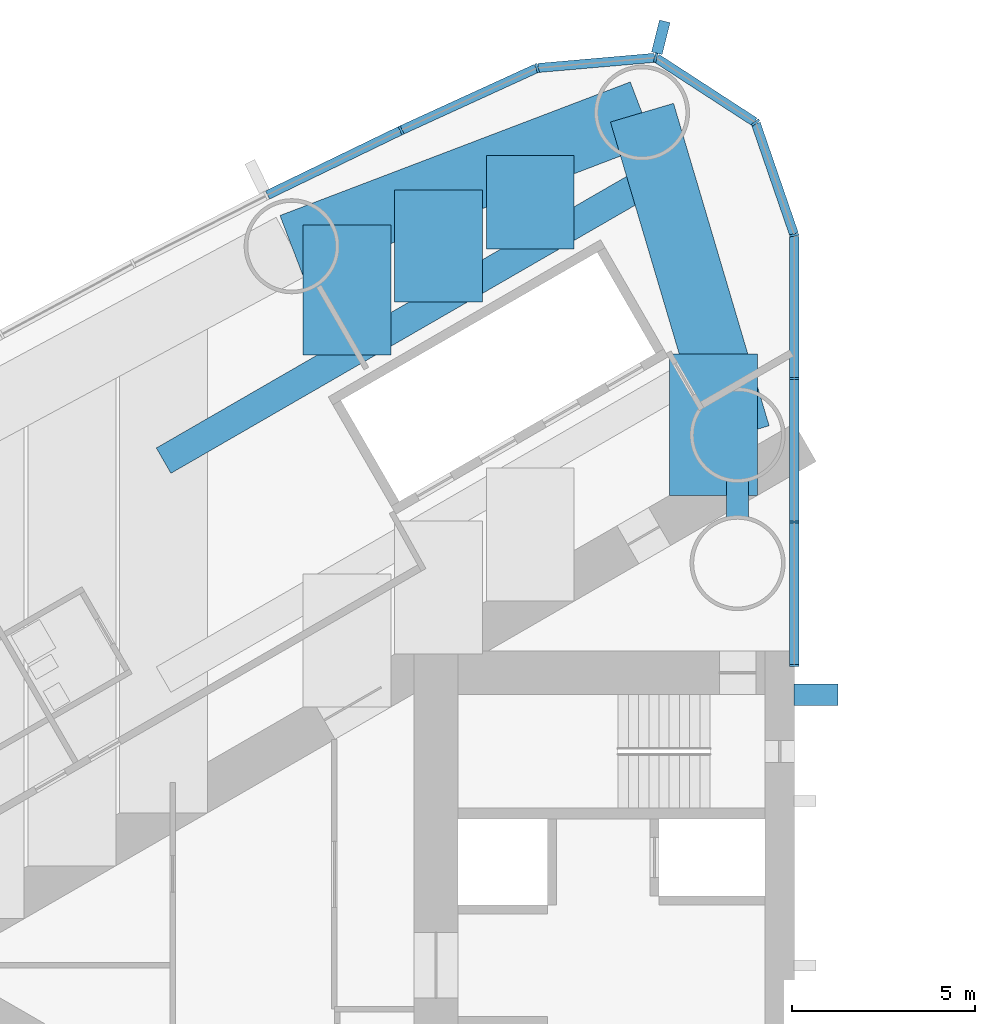
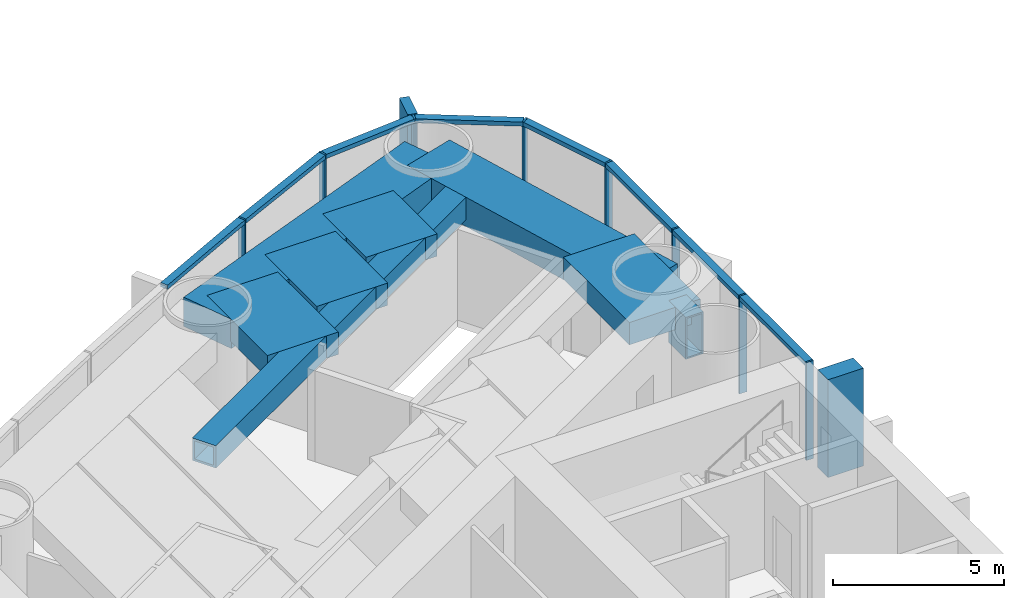
# One storey, part 5 of 18: 18 members, 8 beams, 1 element without a shape of its own.
"""IFC4 building model written with IfcOpenShell, lengths in metres."""

from ifc_helpers import new_model, si_unit, direction, frame, origin, origin_2d, place, context, subcontext, project, spatial, rectangle, hollow_rectangle, extrude, material, material_profile, profile_set, type_object, element, aggregate, save


model = new_model("IFC4")

# Units and contexts
model_context = context("Model", 3, precision=1e-05, world=origin(), true_north=direction((0.0, 1.0)))
body_context = subcontext(model_context, "Body", "Model", "MODEL_VIEW")
ifc_project = project(units=[si_unit("LENGTHUNIT", "METRE"), si_unit("AREAUNIT", "SQUARE_METRE"), si_unit("VOLUMEUNIT", "CUBIC_METRE"), si_unit("PLANEANGLEUNIT", "RADIAN"), si_unit("MASSUNIT", "GRAM", prefix="KILO")], contexts=[model_context])

# Site, building, storey
site_placement = place(None, origin())
site = spatial("IfcSite", under=ifc_project, at=site_placement, CompositionType="ELEMENT")
building_placement = place(site_placement, origin())
building = spatial("IfcBuilding", under=site, at=building_placement, Name="Lancet Gate Hotel", CompositionType="ELEMENT")
storey_placement = place(building_placement, frame((0.0, 0.0, 115.10009765625)))
storey = spatial("IfcBuildingStorey", under=building, at=storey_placement, Name="L30", CompositionType="ELEMENT", Elevation=115.10009765625)

# Curtain wall, members
ifc_material_1 = material(Name="Aluminium curtain wall", Category="aluminium")
curtain_wall_type = type_object("IfcCurtainWallType", Name="Tower unitised curtain wall", PredefinedType="USERDEFINED", material=ifc_material_1)
curtain_wall_placement = place(storey_placement, origin())
curtain_wall = element("IfcCurtainWall", 1, at=curtain_wall_placement, inside=storey, type_object=curtain_wall_type, Name="T1 L30 curtain wall 1", ObjectType="UNITISED CURTAIN WALL", PredefinedType="USERDEFINED")
ifc_material_2 = material(Name="Aluminium mullion", Category="aluminium")
ifc_material_profile_1 = material_profile(ifc_material_2, rectangle(XDim=0.06494140625, YDim=0.25, at=origin_2d()), Name="MULLION 65x250")
ifc_profile_set_1 = profile_set([ifc_material_profile_1], Name="Aluminium mullion")
member_type_1 = type_object("IfcMemberType", Name="Aluminium mullion 65x250", PredefinedType="MULLION", material=ifc_profile_set_1)
member_1_placement = place(storey_placement, frame((-27.5, 8.199951171875, 0.0), z_axis=(0.0, 0.0, 1.0), x_axis=(0.0, 1.0, 0.0)))
member_1 = element("IfcMember", 2, at=member_1_placement, type_object=member_type_1, Name="T1 L30 curtain wall 1 mullion 1", PredefinedType="MULLION", context=body_context, shape_type="SweptSolid", body=[
    extrude(rectangle(XDim=0.06494140625, YDim=0.25, at=origin_2d()), origin(), (0.0, 0.0, 1.0), 3.5),
])
member_2_placement = place(storey_placement, frame((-27.5, 12.123779296875, 0.0), z_axis=(0.0, 0.0, 1.0), x_axis=(0.0, 1.0, 0.0)))
member_2 = element("IfcMember", 3, at=member_2_placement, type_object=member_type_1, Name="T1 L30 curtain wall 1 mullion 2", PredefinedType="MULLION", context=body_context, shape_type="SweptSolid", body=[
    extrude(rectangle(XDim=0.06494140625, YDim=0.25, at=origin_2d()), origin(), (0.0, 0.0, 1.0), 3.5),
])
member_3_placement = place(storey_placement, frame((-27.5, 16.04736328125, 0.0), z_axis=(0.0, 0.0, 1.0), x_axis=(0.0, 1.0, 0.0)))
member_3 = element("IfcMember", 4, at=member_3_placement, type_object=member_type_1, Name="T1 L30 curtain wall 1 mullion 3", PredefinedType="MULLION", context=body_context, shape_type="SweptSolid", body=[
    extrude(rectangle(XDim=0.06494140625, YDim=0.25, at=origin_2d()), origin(), (0.0, 0.0, 1.0), 3.5),
])
member_4_placement = place(storey_placement, frame((-27.5, 19.97119140625, 0.0), z_axis=(0.0, 0.0, 1.0), x_axis=(-0.149634446211, 0.988741388082, 0.0)))
member_4 = element("IfcMember", 5, at=member_4_placement, type_object=member_type_1, Name="T1 L30 curtain wall 1 mullion 4", PredefinedType="MULLION", context=body_context, shape_type="SweptSolid", body=[
    extrude(rectangle(XDim=0.06494140625, YDim=0.25, at=origin_2d()), origin(), (0.0, 0.0, 1.0), 3.5),
])
member_5_placement = place(storey_placement, frame((-28.5595703125, 23.049072265625, 0.0), z_axis=(0.0, 0.0, 1.0), x_axis=(-0.615574240878, 0.788078900851, 0.0)))
member_5 = element("IfcMember", 6, at=member_5_placement, type_object=member_type_1, Name="T1 L30 curtain wall 1 mullion 5", PredefinedType="MULLION", context=body_context, shape_type="SweptSolid", body=[
    extrude(rectangle(XDim=0.06494140625, YDim=0.25, at=origin_2d()), origin(), (0.0, 0.0, 1.0), 3.5),
])
member_6_placement = place(storey_placement, frame((-31.289306640625, 24.822265625, 0.0), z_axis=(0.0, 0.0, 1.0), x_axis=(-0.970242142288, 0.242136707934, 0.0)))
member_6 = element("IfcMember", 7, at=member_6_placement, type_object=member_type_1, Name="T1 L30 curtain wall 1 mullion 6", PredefinedType="MULLION", context=body_context, shape_type="SweptSolid", body=[
    extrude(rectangle(XDim=0.06494140625, YDim=0.25, at=origin_2d()), origin(), (0.0, 0.0, 1.0), 3.5),
])
member_7_placement = place(storey_placement, frame((-34.5322265625, 24.53955078125, 0.0), z_axis=(0.0, 0.0, 1.0), x_axis=(-0.961653318232, -0.27426792655, 0.0)))
member_7 = element("IfcMember", 8, at=member_7_placement, type_object=member_type_1, Name="T1 L30 curtain wall 1 mullion 7", PredefinedType="MULLION", context=body_context, shape_type="SweptSolid", body=[
    extrude(rectangle(XDim=0.06494140625, YDim=0.25, at=origin_2d()), origin(), (0.0, 0.0, 1.0), 3.5),
])
member_8_placement = place(storey_placement, frame((-38.25244140625, 22.83642578125, 0.0), z_axis=(0.0, 0.0, 1.0), x_axis=(-0.904719609771, -0.426007544178, 0.0)))
member_8 = element("IfcMember", 9, at=member_8_placement, type_object=member_type_1, Name="T1 L30 curtain wall 1 mullion 8", PredefinedType="MULLION", context=body_context, shape_type="SweptSolid", body=[
    extrude(rectangle(XDim=0.06494140625, YDim=0.25, at=origin_2d()), origin(), (0.0, 0.0, 1.0), 3.5),
])
ifc_material_3 = material(Name="Aluminium transom", Category="aluminium")
ifc_material_profile_2 = material_profile(ifc_material_3, rectangle(XDim=0.25, YDim=0.14990234375, at=origin_2d()), Name="TRANSOM 250x150")
ifc_profile_set_2 = profile_set([ifc_material_profile_2], Name="Aluminium transom")
member_type_2 = type_object("IfcMemberType", Name="Aluminium transom 250x150", PredefinedType="USERDEFINED", material=ifc_profile_set_2)
member_9_placement = place(storey_placement, frame((-27.5, 8.232421875, 3.4248046875), z_axis=(0.0, 1.0, 0.0), x_axis=(-1.0, 0.0, 0.0)))
member_9 = element("IfcMember", 10, at=member_9_placement, type_object=member_type_2, Name="T1 L30 curtain wall 1 transom 1", ObjectType="TRANSOM", PredefinedType="USERDEFINED", context=body_context, shape_type="SweptSolid", body=[
    extrude(rectangle(XDim=0.25, YDim=0.14990234375, at=origin_2d()), origin(), (0.0, 0.0, 1.0), 3.85888671875),
])
member_10_placement = place(storey_placement, frame((-27.5, 12.15625, 3.4248046875), z_axis=(0.0, 1.0, 0.0), x_axis=(-1.0, 0.0, 0.0)))
member_10 = element("IfcMember", 11, at=member_10_placement, type_object=member_type_2, Name="T1 L30 curtain wall 1 transom 2", ObjectType="TRANSOM", PredefinedType="USERDEFINED", context=body_context, shape_type="SweptSolid", body=[
    extrude(rectangle(XDim=0.25, YDim=0.14990234375, at=origin_2d()), origin(), (0.0, 0.0, 1.0), 3.858642578125),
])
member_11_placement = place(storey_placement, frame((-27.5, 16.079833984375, 3.4248046875), z_axis=(0.0, 1.0, 0.0), x_axis=(-1.0, 0.0, 0.0)))
member_11 = element("IfcMember", 12, at=member_11_placement, type_object=member_type_2, Name="T1 L30 curtain wall 1 transom 3", ObjectType="TRANSOM", PredefinedType="USERDEFINED", context=body_context, shape_type="SweptSolid", body=[
    extrude(rectangle(XDim=0.25, YDim=0.14990234375, at=origin_2d()), origin(), (0.0, 0.0, 1.0), 3.858642578125),
])
member_12_placement = place(storey_placement, frame((-27.510498046875, 20.001708984375, 3.4248046875), z_axis=(-0.32553312754, 0.945530635609, 0.0), x_axis=(-0.945530635609, -0.32553312754, 0.0)))
member_12 = element("IfcMember", 13, at=member_12_placement, type_object=member_type_2, Name="T1 L30 curtain wall 1 transom 4", ObjectType="TRANSOM", PredefinedType="USERDEFINED", context=body_context, shape_type="SweptSolid", body=[
    extrude(rectangle(XDim=0.25, YDim=0.14990234375, at=origin_2d()), origin(), (0.0, 0.0, 1.0), 3.1904296875),
])
member_13_placement = place(storey_placement, frame((-28.5869140625, 23.066650390625, 3.4248046875), z_axis=(-0.838550259452, 0.544824249068, 0.0), x_axis=(-0.544824249068, -0.838550259452, 0.0)))
member_13 = element("IfcMember", 14, at=member_13_placement, type_object=member_type_2, Name="T1 L30 curtain wall 1 transom 5", ObjectType="TRANSOM", PredefinedType="USERDEFINED", context=body_context, shape_type="SweptSolid", body=[
    extrude(rectangle(XDim=0.25, YDim=0.14990234375, at=origin_2d()), origin(), (0.0, 0.0, 1.0), 3.190185546875),
])
member_14_placement = place(storey_placement, frame((-31.32177734375, 24.819580078125, 3.4248046875), z_axis=(-0.996213545522, -0.086940046686, 0.0), x_axis=(0.086940046686, -0.996213545522, 0.0)))
member_14 = element("IfcMember", 15, at=member_14_placement, type_object=member_type_2, Name="T1 L30 curtain wall 1 transom 6", ObjectType="TRANSOM", PredefinedType="USERDEFINED", context=body_context, shape_type="SweptSolid", body=[
    extrude(rectangle(XDim=0.25, YDim=0.14990234375, at=origin_2d()), origin(), (0.0, 0.0, 1.0), 3.18994140625),
])
member_15_placement = place(storey_placement, frame((-34.561767578125, 24.52587890625, 3.4248046875), z_axis=(-0.909252284196, -0.416245460857, 0.0), x_axis=(0.416245460857, -0.909252284196, 0.0)))
member_15 = element("IfcMember", 16, at=member_15_placement, type_object=member_type_2, Name="T1 L30 curtain wall 1 transom 7", ObjectType="TRANSOM", PredefinedType="USERDEFINED", context=body_context, shape_type="SweptSolid", body=[
    extrude(rectangle(XDim=0.25, YDim=0.14990234375, at=origin_2d()), origin(), (0.0, 0.0, 1.0), 4.026611328125),
])
member_16_placement = place(storey_placement, frame((-38.28173828125, 22.822265625, 3.4248046875), z_axis=(-0.900065677074, -0.435754262117, 0.0), x_axis=(0.435754262117, -0.900065677074, 0.0)))
member_16 = element("IfcMember", 17, at=member_16_placement, type_object=member_type_2, Name="T1 L30 curtain wall 1 transom 8", ObjectType="TRANSOM", PredefinedType="USERDEFINED", context=body_context, shape_type="SweptSolid", body=[
    extrude(rectangle(XDim=0.25, YDim=0.14990234375, at=origin_2d()), origin(), (0.0, 0.0, 1.0), 4.026611328125),
])

# Beams
ifc_material_4 = material(Name="Concrete C50/60", Category="concrete")
ifc_material_profile_3 = material_profile(ifc_material_4, rectangle(XDim=1.800048828125, YDim=1.050048828125, at=origin_2d()), Name="RC 1800x1050")
ifc_profile_set_3 = profile_set([ifc_material_profile_3], Name="Concrete C50/60")
beam_type_1 = type_object("IfcBeamType", Name="Edge beam RC 1800x1050", PredefinedType="SPANDREL", material=ifc_profile_set_3)
beam_1_placement = place(storey_placement, frame((-31.66455078125, 23.318359375, 2.724853515625), z_axis=(-0.934392266213, -0.356245832033, 0.0), x_axis=(0.356245832033, -0.934392266213, 0.0)))
element("IfcBeam", 18, at=beam_1_placement, inside=storey, type_object=beam_type_1, Name="T1 edge beam EB1 L30", PredefinedType="SPANDREL", context=body_context, shape_type="SweptSolid", body=[
    extrude(rectangle(XDim=1.800048828125, YDim=1.050048828125, at=origin_2d()), origin(), (0.0, 0.0, 1.0), 10.2529296875),
])
beam_2_placement = place(storey_placement, frame((-31.66455078125, 23.318359375, 2.724853515625), z_axis=(0.284253711522, -0.958749095168, 0.0), x_axis=(0.958749095168, 0.284253711522, 0.0)))
element("IfcBeam", 19, at=beam_2_placement, inside=storey, type_object=beam_type_1, Name="T1 edge beam EB1 L30", PredefinedType="SPANDREL", context=body_context, shape_type="SweptSolid", body=[
    extrude(rectangle(XDim=1.800048828125, YDim=1.050048828125, at=origin_2d()), origin(), (0.0, 0.0, 1.0), 9.19775390625),
])

# Member
ifc_material_5 = material(Name="Concrete C60/75", Category="concrete")
ifc_material_profile_4 = material_profile(ifc_material_5, rectangle(XDim=0.60009765625, YDim=1.199951171875, at=origin_2d()), Name="FIN 600x1200")
ifc_profile_set_4 = profile_set([ifc_material_profile_4], Name="Concrete C60/75")
member_type_3 = type_object("IfcMemberType", Name="Exposed concrete buttress pilaster 600x1200", PredefinedType="USERDEFINED", material=ifc_profile_set_4)
member_17_placement = place(storey_placement, frame((-26.909912109375, 7.39990234375, 0.0), z_axis=(0.0, 0.0, 1.0), x_axis=(0.0, 1.0, 0.0)))
element("IfcMember", 20, at=member_17_placement, inside=storey, type_object=member_type_3, Name="T1 buttress pilaster S L30", ObjectType="FIN", PredefinedType="USERDEFINED", context=body_context, shape_type="SweptSolid", body=[
    extrude(rectangle(XDim=0.60009765625, YDim=1.199951171875, at=origin_2d()), origin(), (0.0, 0.0, 1.0), 3.5),
])

ifc_material_6 = material(Name="Precast concrete C50/60", Category="concrete")
ifc_material_profile_5 = material_profile(ifc_material_6, rectangle(XDim=0.300048828125, YDim=0.89990234375, at=origin_2d()), Name="FIN 300x900")
ifc_profile_set_5 = profile_set([ifc_material_profile_5], Name="Precast concrete C50/60")
member_type_4 = type_object("IfcMemberType", Name="Exposed concrete fin 300x900", PredefinedType="USERDEFINED", material=ifc_profile_set_5)
member_18_placement = place(storey_placement, frame((-31.150146484375, 25.380126953125, 0.0), z_axis=(0.0, 0.0, 1.0), x_axis=(-0.970242142288, 0.242136707934, 0.0)))
member_18 = element("IfcMember", 21, at=member_18_placement, type_object=member_type_4, Name="T1 L30 curtain wall 1 fin 6", ObjectType="FIN", PredefinedType="USERDEFINED", context=body_context, shape_type="SweptSolid", body=[
    extrude(rectangle(XDim=0.300048828125, YDim=0.89990234375, at=origin_2d()), origin(), (0.0, 0.0, 1.0), 3.5),
])

aggregate(curtain_wall, [member_1, member_2, member_3, member_4, member_5, member_6, member_18, member_7, member_8, member_9, member_10, member_11, member_12, member_13, member_14, member_15, member_16])

# Beams
ifc_material_7 = material(Name="Concrete C50/60", Category="concrete")
ifc_material_profile_6 = material_profile(ifc_material_7, rectangle(XDim=2.39990234375, YDim=0.800048828125, at=origin_2d()), Name="RC 2400x800")
ifc_profile_set_6 = profile_set([ifc_material_profile_6], Name="Concrete C50/60")
beam_type_2 = type_object("IfcBeamType", Name="Floor beam RC 2400x800", PredefinedType="BEAM", material=ifc_profile_set_6)
beam_3_placement = place(storey_placement, frame((-29.706787109375, 16.71533203125, 2.849853515625), z_axis=(0.0, -1.0, 0.0), x_axis=(1.0, 0.0, 0.0)))
element("IfcBeam", 22, at=beam_3_placement, inside=storey, type_object=beam_type_2, Name="T1 floor beam F02S L30", PredefinedType="BEAM", context=body_context, shape_type="SweptSolid", body=[
    extrude(rectangle(XDim=2.39990234375, YDim=0.800048828125, at=origin_2d()), origin(), (0.0, 0.0, 1.0), 3.86279296875),
])
beam_4_placement = place(storey_placement, frame((-34.720458984375, 22.1533203125, 2.849853515625), z_axis=(0.0, -1.0, 0.0), x_axis=(1.0, 0.0, 0.0)))
element("IfcBeam", 23, at=beam_4_placement, inside=storey, type_object=beam_type_2, Name="T1 floor beam F04SA L30", PredefinedType="BEAM", context=body_context, shape_type="SweptSolid", body=[
    extrude(rectangle(XDim=2.39990234375, YDim=0.800048828125, at=origin_2d()), origin(), (0.0, 0.0, 1.0), 2.561767578125),
])
beam_5_placement = place(storey_placement, frame((-37.227294921875, 21.197509765625, 2.849853515625), z_axis=(0.0, -1.0, 0.0), x_axis=(1.0, 0.0, 0.0)))
element("IfcBeam", 24, at=beam_5_placement, inside=storey, type_object=beam_type_2, Name="T1 floor beam F05SA L30", PredefinedType="BEAM", context=body_context, shape_type="SweptSolid", body=[
    extrude(rectangle(XDim=2.39990234375, YDim=0.800048828125, at=origin_2d()), origin(), (0.0, 0.0, 1.0), 3.053466796875),
])
beam_6_placement = place(storey_placement, frame((-39.734130859375, 20.24169921875, 2.849853515625), z_axis=(0.0, -1.0, 0.0), x_axis=(1.0, 0.0, 0.0)))
element("IfcBeam", 25, at=beam_6_placement, inside=storey, type_object=beam_type_2, Name="T1 floor beam F07SA L30", PredefinedType="BEAM", context=body_context, shape_type="SweptSolid", body=[
    extrude(rectangle(XDim=2.39990234375, YDim=0.800048828125, at=origin_2d()), origin(), (0.0, 0.0, 1.0), 3.545166015625),
])
ifc_material_8 = material(Name="Steel S460QL", Category="steel")
ifc_material_profile_7 = material_profile(ifc_material_8, hollow_rectangle(XDim=0.60009765625, YDim=1.5, WallThickness=0.050048828125, at=origin_2d()), Name="BOX 1500x600x50")
ifc_profile_set_7 = profile_set([ifc_material_profile_7], Name="Steel S460QL")
beam_type_3 = type_object("IfcBeamType", Name="Inner-face link beam BOX 1500x600x50", PredefinedType="BEAM", material=ifc_profile_set_7)
beam_7_placement = place(storey_placement, frame((-29.050048828125, 13.25, 2.5), z_axis=(0.0, -1.0, 0.0), x_axis=(1.0, 0.0, 0.0)))
element("IfcBeam", 26, at=beam_7_placement, inside=storey, type_object=beam_type_3, Name="T1 inner-face link beam LK1 L30", PredefinedType="BEAM", context=body_context, shape_type="SweptSolid", body=[
    extrude(hollow_rectangle(XDim=0.60009765625, YDim=1.5, WallThickness=0.050048828125, at=origin_2d()), origin(), (0.0, 0.0, 1.0), 1.0),
])
ifc_material_9 = material(Name="Steel S460QL", Category="steel")
ifc_material_profile_8 = material_profile(ifc_material_9, hollow_rectangle(XDim=0.800048828125, YDim=0.800048828125, WallThickness=0.080078125, at=origin_2d()), Name="BOX 800x800x80")
ifc_profile_set_8 = profile_set([ifc_material_profile_8], Name="Steel S460QL")
beam_type_4 = type_object("IfcBeamType", Name="Trimmer beam BOX 800x800x80", PredefinedType="BEAM", material=ifc_profile_set_8)
beam_8_placement = place(storey_placement, frame((-31.16796875, 21.642822265625, 2.849853515625), z_axis=(-0.866004868127, -0.500035567115, 0.0), x_axis=(0.500035567115, -0.866004868127, 0.0)))
element("IfcBeam", 27, at=beam_8_placement, inside=storey, type_object=beam_type_4, Name="T1 trimmer beam TR04S L30", PredefinedType="BEAM", context=body_context, shape_type="SweptSolid", body=[
    extrude(hollow_rectangle(XDim=0.800048828125, YDim=0.800048828125, WallThickness=0.080078125, at=origin_2d()), origin(), (0.0, 0.0, 1.0), 15.680908203125),
])

save(model, "model.ifc")
